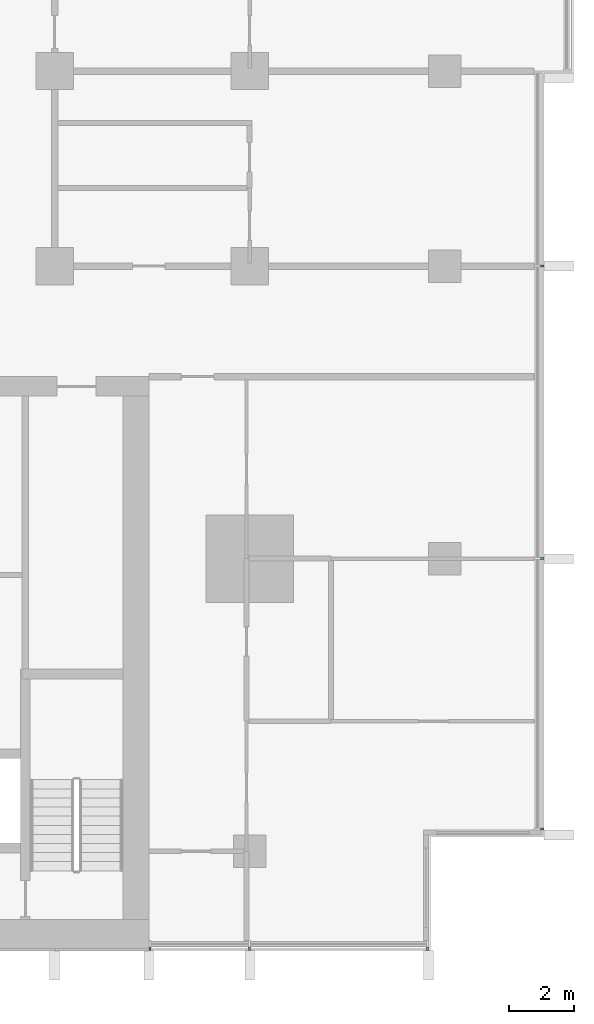
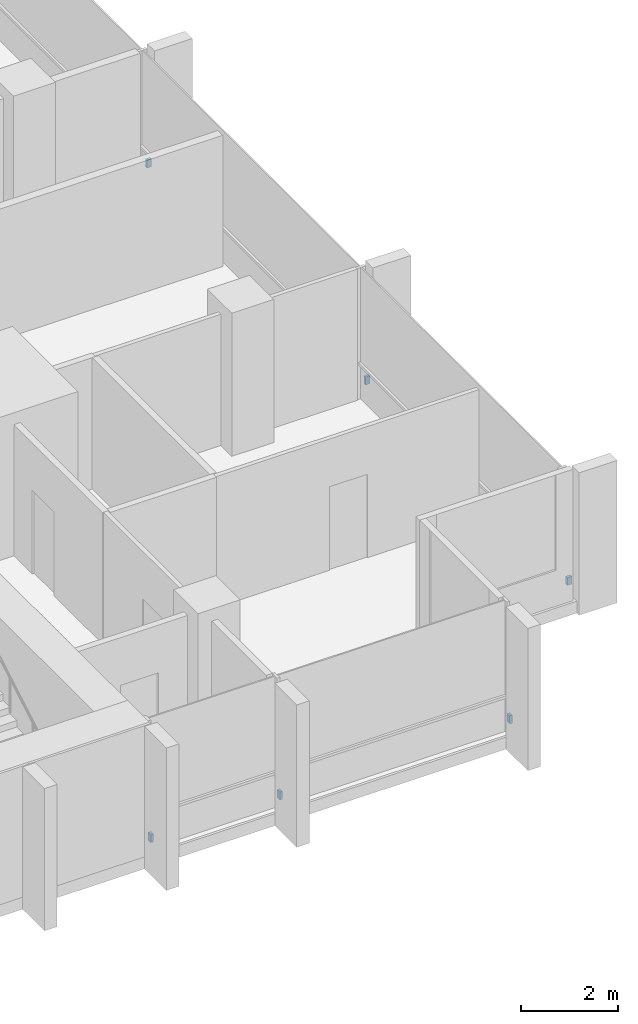
# One storey, part 14 of 17: 6 discrete accessories.
"""IFC4 building model written with IfcOpenShell, lengths in metres."""

from ifc_helpers import new_model, si_unit, direction, frame, origin, origin_2d, place, context, subcontext, project, spatial, rectangle, extrude, material, type_object, element, save


model = new_model("IFC4")

# Units and contexts
model_context = context("Model", 3, precision=1e-05, world=origin(), true_north=direction((0.0, 1.0)))
body_context = subcontext(model_context, "Body", "Model", "MODEL_VIEW")
ifc_project = project(units=[si_unit("LENGTHUNIT", "METRE"), si_unit("AREAUNIT", "SQUARE_METRE"), si_unit("VOLUMEUNIT", "CUBIC_METRE"), si_unit("PLANEANGLEUNIT", "RADIAN"), si_unit("MASSUNIT", "GRAM", prefix="KILO")], contexts=[model_context])

# Site, building, storey
site_placement = place(None, origin())
site = spatial("IfcSite", under=ifc_project, at=site_placement, CompositionType="ELEMENT")
building_placement = place(site_placement, origin())
building = spatial("IfcBuilding", under=site, at=building_placement, Name="Finial Court Residences", CompositionType="ELEMENT")
storey_placement = place(building_placement, frame((0.0, 0.0, 124.300048828125)))
storey = spatial("IfcBuildingStorey", under=building, at=storey_placement, Name="L31", CompositionType="ELEMENT", Elevation=124.300048828125)

# Discrete accessories
ifc_material = material(Name="Stainless steel 316", Category="steel")
discrete_accessory_type = type_object("IfcDiscreteAccessoryType", Name="Fin bracket, stainless steel 65 x 110 x 200", PredefinedType="BRACKET", material=ifc_material)
for number, where, z_axis, x_axis, name in (
    (1, (25.5048828125, -21.8173828125, 0.2998046875), (0.0, 0.0, 1.0), (1.0, 0.0, 0.0), "E-L31-FIN-E9-BRK"),
    (2, (25.5048828125, -13.5, 0.2998046875), (0.0, 0.0, 1.0), (1.0, 0.0, 0.0), "E-L31-FIN-E10-BRK"),
    (3, (25.5048828125, -4.5, 0.2998046875), (0.0, 0.0, 1.0), (1.0, 0.0, 0.0), "E-L31-FIN-E11-BRK"),
):
    element("IfcDiscreteAccessory", number, at=place(storey_placement, frame(where, z_axis=z_axis, x_axis=x_axis)), inside=storey, type_object=discrete_accessory_type, Name=name, PredefinedType="BRACKET", context=body_context, shape_type="SweptSolid", body=[
        extrude(rectangle(XDim=0.110107421875, YDim=0.06494140625, at=origin_2d()), origin(), (0.0, 0.0, 1.0), 0.199951171875),
    ])
for number, where, z_axis, x_axis, name in (
    (4, (13.4326171875, -25.5048828125, 0.2998046875), (0.0, 0.0, 1.0), (1.0, 0.0, 0.0), "E-L31-FIN-S23-BRK"),
    (5, (16.5, -25.5048828125, 0.2998046875), (0.0, 0.0, 1.0), (1.0, 0.0, 0.0), "E-L31-FIN-S24-BRK"),
    (6, (21.967529296875, -25.5048828125, 0.2998046875), (0.0, 0.0, 1.0), (1.0, 0.0, 0.0), "E-L31-FIN-S25-BRK"),
):
    element("IfcDiscreteAccessory", number, at=place(storey_placement, frame(where, z_axis=z_axis, x_axis=x_axis)), inside=storey, type_object=discrete_accessory_type, Name=name, PredefinedType="BRACKET", context=body_context, shape_type="SweptSolid", body=[
        extrude(rectangle(XDim=0.06494140625, YDim=0.110107421875, at=origin_2d()), origin(), (0.0, 0.0, 1.0), 0.199951171875),
    ])

save(model, "model.ifc")
